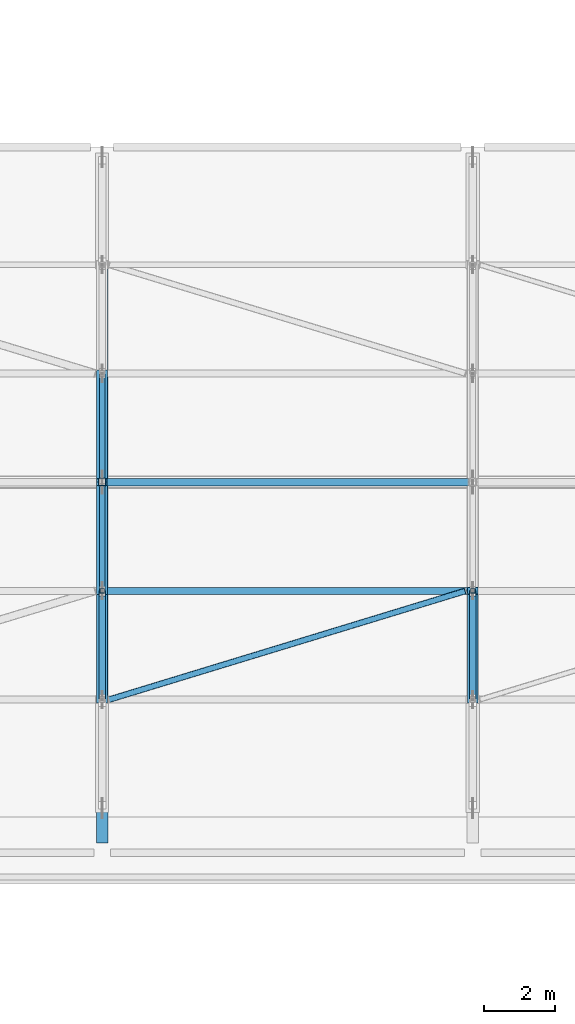
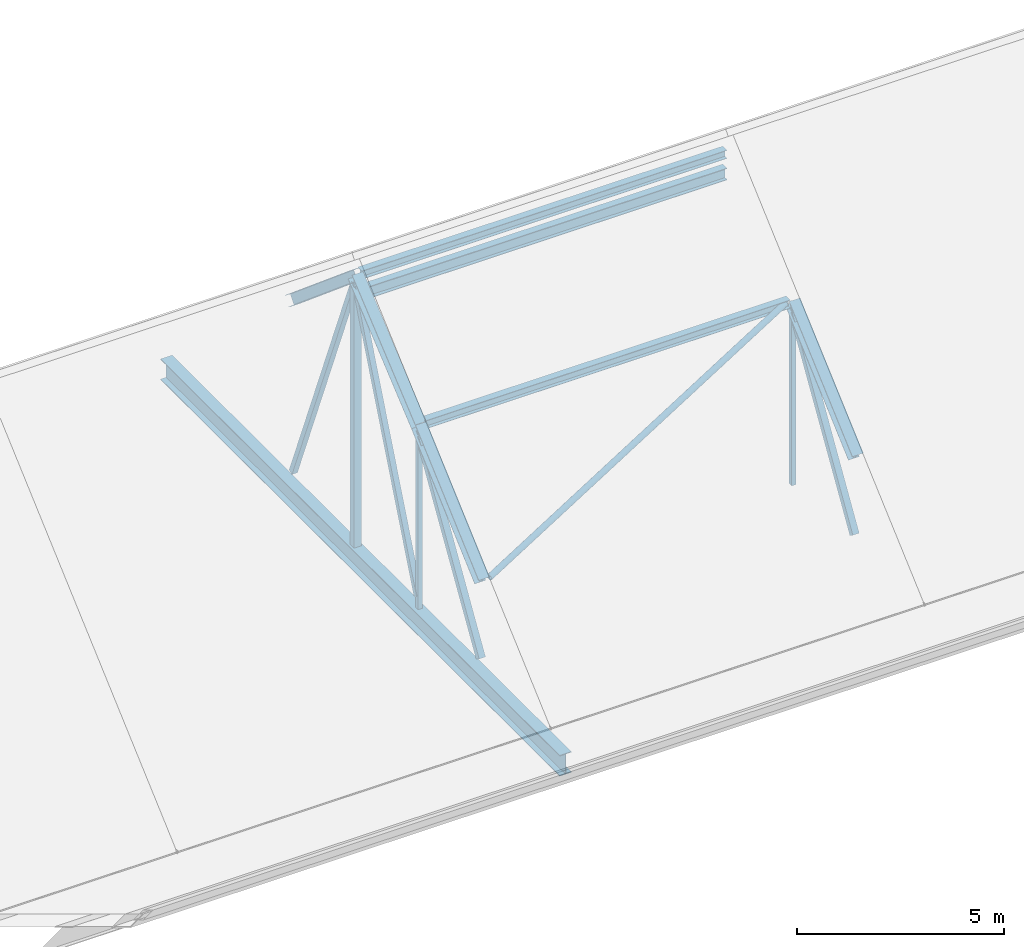
# One storey, part 23 of 86: 13 members, 3 beams.
"""IFC4 building model written with IfcOpenShell, lengths in metres."""

from ifc_helpers import new_model, si_unit, derived_unit, direction, frame, origin, origin_2d, place, context, subcontext, project, spatial, hollow_rectangle, hollow_circle, i_section, extrude, material, material_profile, profile_set, type_object, element, save


model = new_model("IFC4")

# Units and contexts
model_context = context("Model", 3, precision=1e-05, world=origin(), true_north=direction((0.0, 1.0)))
body_context = subcontext(model_context, "Body", "Model", "MODEL_VIEW")
ifc_project = project(units=[si_unit("LENGTHUNIT", "METRE"), si_unit("AREAUNIT", "SQUARE_METRE"), si_unit("VOLUMEUNIT", "CUBIC_METRE"), si_unit("PLANEANGLEUNIT", "RADIAN"), si_unit("MASSUNIT", "GRAM", prefix="KILO"), derived_unit("THERMALTRANSMITTANCEUNIT", [(si_unit("POWERUNIT", "WATT"), 1), (si_unit("LENGTHUNIT", "METRE"), -2), (si_unit("THERMODYNAMICTEMPERATUREUNIT", "KELVIN"), -1)])], contexts=[model_context])

# Site, building, storey
site_placement = place(None, origin())
site = spatial("IfcSite", under=ifc_project, at=site_placement, CompositionType="ELEMENT")
building_placement = place(site_placement, origin())
building = spatial("IfcBuilding", under=site, at=building_placement, Name="Braskholm Square Health Centre", CompositionType="ELEMENT")
storey_placement = place(building_placement, frame((0.0, 0.0, 13.5)))
storey = spatial("IfcBuildingStorey", under=building, at=storey_placement, Name="L04", CompositionType="ELEMENT", Elevation=13.5)

# Member
ifc_material_1 = material(Name="Steel ASTM A500 Grade C", Category="steel")
ifc_material_profile_1 = material_profile(ifc_material_1, hollow_circle(Radius=0.084228515625, WallThickness=0.00732421875, at=origin_2d()), Name="HSS6.625X0.312")
ifc_profile_set_1 = profile_set([ifc_material_profile_1], Name="Steel ASTM A500 Grade C")
member_type_1 = type_object("IfcMemberType", Name="RoofPlanBraceCHS168", PredefinedType="BRACE", material=ifc_profile_set_1)
member_1_placement = place(storey_placement, frame((99.800048828125, 91.5, 2.402099609375), z_axis=(0.925704815743, 0.282344488845, 0.251698596995), x_axis=(-0.291736758099, 0.956498648182, 0.0)))
element("IfcMember", 1, at=member_1_placement, inside=storey, type_object=member_type_1, Name="ROOF TRUSS slope brace South Bay 6", PredefinedType="BRACE", context=body_context, shape_type="SweptSolid", body=[
    extrude(hollow_circle(Radius=0.084228515625, WallThickness=0.00732421875, at=origin_2d()), origin(), (0.0, 0.0, 1.0), 10.802490234375),
])

# Beams
ifc_material_2 = material(Name="Steel ASTM A992 Grade 50", Category="steel")
ifc_material_profile_2 = material_profile(ifc_material_2, i_section(OverallWidth=0.201904296875, OverallDepth=0.2470703125, WebThickness=0.00732421875, FlangeThickness=0.010986328125, at=origin_2d()), Name="W10X33")
ifc_profile_set_2 = profile_set([ifc_material_profile_2], Name="Steel ASTM A992 Grade 50")
beam_type_1 = type_object("IfcBeamType", Name="RoofPurlinJoistW10X33", PredefinedType="JOIST", material=ifc_profile_set_2)
for number, where, z_axis, x_axis, name in (
    (2, (99.719970703125, 94.550048828125, 5.12109375), (1.0, 0.0, 0.0), (0.0, 1.0, 0.0), "ROOF TRUSS purlin joist 027"),
    (3, (99.719970703125, 97.60009765625, 7.679931640625), (1.0, 0.0, 0.0), (0.0, 1.0, 0.0), "ROOF TRUSS purlin joist 028"),
):
    element("IfcBeam", number, at=place(storey_placement, frame(where, z_axis=z_axis, x_axis=x_axis)), inside=storey, type_object=beam_type_1, Name=name, PredefinedType="JOIST", context=body_context, shape_type="SweptSolid", body=[
        extrude(i_section(OverallWidth=0.201904296875, OverallDepth=0.2470703125, WebThickness=0.00732421875, FlangeThickness=0.010986328125, at=origin_2d()), origin(), (0.0, 0.0, 1.0), 10.159912109375),
    ])
ifc_material_profile_3 = material_profile(ifc_material_2, i_section(OverallWidth=0.323974609375, OverallDepth=0.612060546875, WebThickness=0.0126953125, FlangeThickness=0.01904296875, at=origin_2d()), Name="W24X104")
ifc_profile_set_3 = profile_set([ifc_material_profile_3], Name="Steel ASTM A992 Grade 50")
beam_type_2 = type_object("IfcBeamType", Name="SteelGirderHallTieW24X104", PredefinedType="BEAM", material=ifc_profile_set_3)
beam_placement = place(storey_placement, frame((99.60009765625, 87.47998046875, -0.580078125), z_axis=(0.0, 1.0, 0.0), x_axis=(-1.0, 0.0, 0.0)))
element("IfcBeam", 4, at=beam_placement, inside=storey, type_object=beam_type_2, Name="ROOF TRUSS tie girder TR-06", PredefinedType="BEAM", context=body_context, shape_type="SweptSolid", body=[
    extrude(i_section(OverallWidth=0.323974609375, OverallDepth=0.612060546875, WebThickness=0.0126953125, FlangeThickness=0.01904296875, at=origin_2d()), origin(), (0.0, 0.0, 1.0), 19.239990234375),
])

# Members
ifc_material_profile_4 = material_profile(ifc_material_2, i_section(OverallWidth=0.2041015625, OverallDepth=0.35009765625, WebThickness=0.008544921875, FlangeThickness=0.01513671875, at=origin_2d()), Name="W14X48")
ifc_profile_set_4 = profile_set([ifc_material_profile_4], Name="Steel ASTM A992 Grade 50")
member_type_2 = type_object("IfcMemberType", Name="TrussBottomChordW14X48", PredefinedType="CHORD", material=ifc_profile_set_4)
member_2_placement = place(storey_placement, frame((99.719970703125, 97.60009765625, 7.10009765625), z_axis=(1.0, 0.0, 0.0), x_axis=(0.0, 1.0, 0.0)))
element("IfcMember", 5, at=member_2_placement, inside=storey, type_object=member_type_2, Name="ROOF TRUSS ridge tie strut Bay 6", PredefinedType="CHORD", context=body_context, shape_type="SweptSolid", body=[
    extrude(i_section(OverallWidth=0.2041015625, OverallDepth=0.35009765625, WebThickness=0.008544921875, FlangeThickness=0.01513671875, at=origin_2d()), origin(), (0.0, 0.0, 1.0), 10.159912109375),
])
ifc_material_profile_5 = material_profile(ifc_material_1, hollow_rectangle(XDim=0.15234375, YDim=0.15234375, WallThickness=0.0087890625, at=origin_2d()), Name="HSS6X6X3/8")
ifc_profile_set_5 = profile_set([ifc_material_profile_5], Name="Steel ASTM A500 Grade C")
member_type_3 = type_object("IfcMemberType", Name="TrussCenterDiagHSS6X6", PredefinedType="BRACE", material=ifc_profile_set_5)
for number, where, z_axis, x_axis, name in (
    (6, (99.60009765625, 94.594970703125, 0.071044921875), (0.0, 0.374971294581, 0.927036422284), (-1.0, 0.0, 0.0), "ROOF TRUSS diagonal web TR-06-D3"),
    (7, (99.60009765625, 100.60498046875, 0.071044921875), (0.0, -0.374971294581, 0.927036422284), (1.0, 0.0, 0.0), "ROOF TRUSS diagonal web TR-06-D4"),
):
    element("IfcMember", number, at=place(storey_placement, frame(where, z_axis=z_axis, x_axis=x_axis)), inside=storey, type_object=member_type_3, Name=name, PredefinedType="BRACE", context=body_context, shape_type="SweptSolid", body=[
        extrude(hollow_rectangle(XDim=0.15234375, YDim=0.15234375, WallThickness=0.0087890625, at=origin_2d()), origin(), (0.0, 0.0, 1.0), 7.893798828125),
    ])
ifc_material_profile_6 = material_profile(ifc_material_2, i_section(OverallWidth=0.304931640625, OverallDepth=0.306884765625, WebThickness=0.010009765625, FlangeThickness=0.015380859375, at=origin_2d()), Name="W12X65")
ifc_profile_set_6 = profile_set([ifc_material_profile_6], Name="Steel ASTM A992 Grade 50")
member_type_4 = type_object("IfcMemberType", Name="TrussHipChordW12X65", PredefinedType="CHORD", material=ifc_profile_set_6)
member_3_placement = place(storey_placement, frame((99.60009765625, 91.5, 2.382080078125), z_axis=(0.0, 0.746426169494, 0.665468236278), x_axis=(-1.0, 0.0, 0.0)))
element("IfcMember", 8, at=member_3_placement, inside=storey, type_object=member_type_4, Name="ROOF TRUSS top chord TR-06-2", PredefinedType="CHORD", context=body_context, shape_type="SweptSolid", body=[
    extrude(i_section(OverallWidth=0.304931640625, OverallDepth=0.306884765625, WebThickness=0.010009765625, FlangeThickness=0.015380859375, at=origin_2d()), origin(), (0.0, 0.0, 1.0), 4.086181640625),
])
member_4_placement = place(storey_placement, frame((99.60009765625, 94.550048828125, 5.101318359375), z_axis=(0.0, 0.766131151452, 0.642684260563), x_axis=(-1.0, 0.0, 0.0)))
element("IfcMember", 9, at=member_4_placement, inside=storey, type_object=member_type_4, Name="ROOF TRUSS top chord TR-06-3", PredefinedType="CHORD", context=body_context, shape_type="SweptSolid", body=[
    extrude(i_section(OverallWidth=0.304931640625, OverallDepth=0.306884765625, WebThickness=0.010009765625, FlangeThickness=0.015380859375, at=origin_2d()), origin(), (0.0, 0.0, 1.0), 3.981201171875),
])
member_5_placement = place(storey_placement, frame((99.60009765625, 97.60009765625, 7.659912109375), z_axis=(0.0, 0.766105819869, -0.642714456631), x_axis=(-1.0, 0.0, 0.0)))
element("IfcMember", 10, at=member_5_placement, inside=storey, type_object=member_type_4, Name="ROOF TRUSS top chord TR-06-4", PredefinedType="CHORD", context=body_context, shape_type="SweptSolid", body=[
    extrude(i_section(OverallWidth=0.304931640625, OverallDepth=0.306884765625, WebThickness=0.010009765625, FlangeThickness=0.015380859375, at=origin_2d()), origin(), (0.0, 0.0, 1.0), 3.98095703125),
])
member_6_placement = place(storey_placement, frame((110.0, 91.5, 2.382080078125), z_axis=(0.0, 0.746426169494, 0.665468236278), x_axis=(-1.0, 0.0, 0.0)))
element("IfcMember", 11, at=member_6_placement, inside=storey, type_object=member_type_4, Name="ROOF TRUSS top chord TR-07-2", PredefinedType="CHORD", context=body_context, shape_type="SweptSolid", body=[
    extrude(i_section(OverallWidth=0.304931640625, OverallDepth=0.306884765625, WebThickness=0.010009765625, FlangeThickness=0.015380859375, at=origin_2d()), origin(), (0.0, 0.0, 1.0), 4.086181640625),
])
ifc_material_profile_7 = material_profile(ifc_material_1, hollow_rectangle(XDim=0.177734375, YDim=0.177734375, WallThickness=0.0087890625, at=origin_2d()), Name="HSS7X7X3/8")
ifc_profile_set_7 = profile_set([ifc_material_profile_7], Name="Steel ASTM A500 Grade C")
member_type_5 = type_object("IfcMemberType", Name="TrussInnerDiagHSS7X7", PredefinedType="BRACE", material=ifc_profile_set_7)
for number, where, z_axis, x_axis, name in (
    (12, (99.60009765625, 91.56298828125, 0.06201171875), (0.0, 0.522065213128, 0.852905571117), (-1.0, 0.0, 0.0), "ROOF TRUSS diagonal web TR-06-D2"),
    (13, (110.0, 91.56298828125, 0.06201171875), (0.0, 0.522065213128, 0.852905571117), (-1.0, 0.0, 0.0), "ROOF TRUSS diagonal web TR-07-D2"),
):
    element("IfcMember", number, at=place(storey_placement, frame(where, z_axis=z_axis, x_axis=x_axis)), inside=storey, type_object=member_type_5, Name=name, PredefinedType="BRACE", context=body_context, shape_type="SweptSolid", body=[
        extrude(hollow_rectangle(XDim=0.177734375, YDim=0.177734375, WallThickness=0.0087890625, at=origin_2d()), origin(), (0.0, 0.0, 1.0), 5.60107421875),
    ])
ifc_material_profile_8 = material_profile(ifc_material_1, hollow_rectangle(XDim=0.126953125, YDim=0.126953125, WallThickness=0.00732421875, at=origin_2d()), Name="HSS5X5X5/16")
ifc_profile_set_8 = profile_set([ifc_material_profile_8], Name="Steel ASTM A500 Grade C")
member_type_6 = type_object("IfcMemberType", Name="TrussVerticalStrutHSS5X5", PredefinedType="STRUT", material=ifc_profile_set_8)
for number, where, z_axis, x_axis, name in (
    (14, (99.60009765625, 94.550048828125, -0.27001953125), (0.0, 0.0, 1.0), (1.0, 0.0, 0.0), "ROOF TRUSS vertical strut TR-06-V2"),
    (15, (110.0, 94.550048828125, -0.27001953125), (0.0, 0.0, 1.0), (1.0, 0.0, 0.0), "ROOF TRUSS vertical strut TR-07-V2"),
):
    element("IfcMember", number, at=place(storey_placement, frame(where, z_axis=z_axis, x_axis=x_axis)), inside=storey, type_object=member_type_6, Name=name, PredefinedType="STRUT", context=body_context, shape_type="SweptSolid", body=[
        extrude(hollow_rectangle(XDim=0.126953125, YDim=0.126953125, WallThickness=0.00732421875, at=origin_2d()), origin(), (0.0, 0.0, 1.0), 5.21142578125),
    ])
ifc_material_profile_9 = material_profile(ifc_material_1, hollow_rectangle(XDim=0.203125, YDim=0.203125, WallThickness=0.0087890625, at=origin_2d()), Name="HSS8X8X3/8")
ifc_profile_set_9 = profile_set([ifc_material_profile_9], Name="Steel ASTM A500 Grade C")
member_type_7 = type_object("IfcMemberType", Name="TrussVerticalStrutHSS8X8", PredefinedType="STRUT", material=ifc_profile_set_9)
member_7_placement = place(storey_placement, frame((99.60009765625, 97.60009765625, -0.27001953125), z_axis=(0.0, 0.0, 1.0), x_axis=(1.0, 0.0, 0.0)))
element("IfcMember", 16, at=member_7_placement, inside=storey, type_object=member_type_7, Name="ROOF TRUSS vertical strut TR-06-V3", PredefinedType="STRUT", context=body_context, shape_type="SweptSolid", body=[
    extrude(hollow_rectangle(XDim=0.203125, YDim=0.203125, WallThickness=0.0087890625, at=origin_2d()), origin(), (0.0, 0.0, 1.0), 7.77001953125),
])

save(model, "model.ifc")
